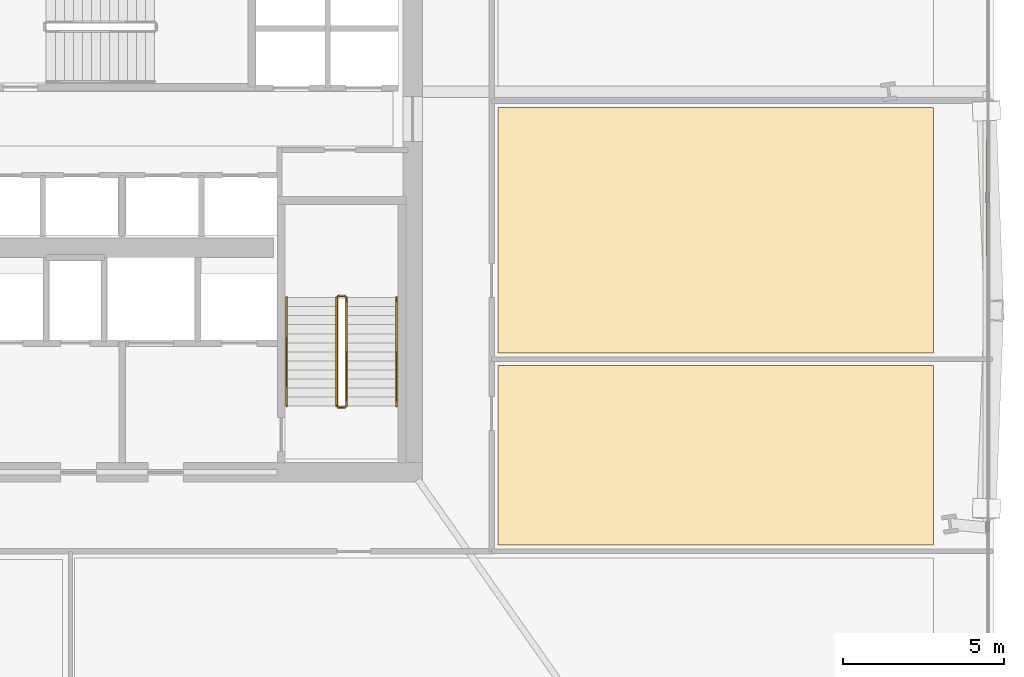
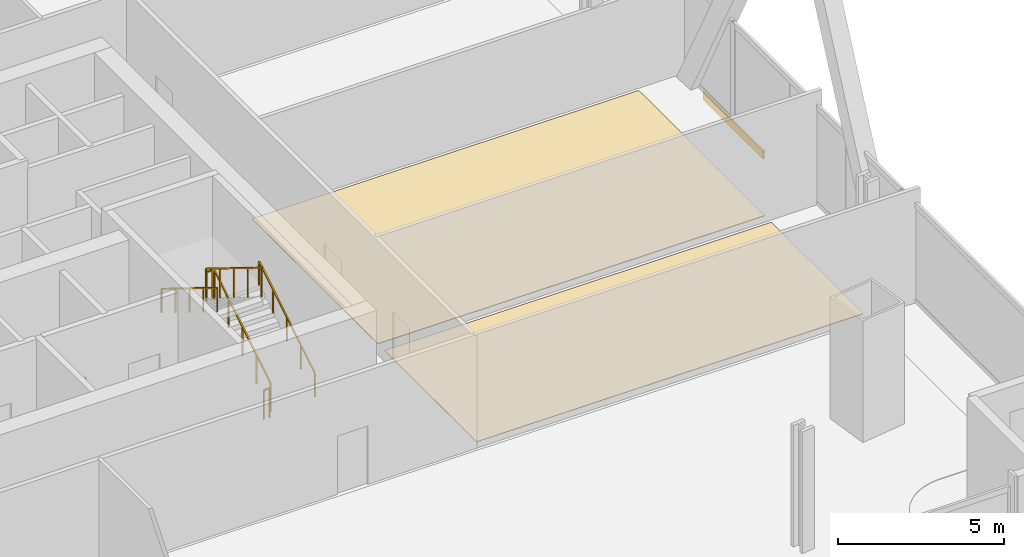
# One storey, part 27 of 29: 6 railings, 3 coverings.
"""IFC4 building model written with IfcOpenShell, lengths in metres."""

from ifc_helpers import new_model, si_unit, direction, frame, origin, origin_2d, place, context, subcontext, project, spatial, polyline, rectangle, outline, extrude, source, transform, mapped, material, layer, layer_set, type_object, element, save


model = new_model("IFC4")

# Units and contexts
model_context = context("Model", 3, precision=1e-05, world=origin(), true_north=direction((0.0, 1.0)))
body_context = subcontext(model_context, "Body", "Model", "MODEL_VIEW")
ifc_project = project(units=[si_unit("LENGTHUNIT", "METRE"), si_unit("AREAUNIT", "SQUARE_METRE"), si_unit("VOLUMEUNIT", "CUBIC_METRE"), si_unit("PLANEANGLEUNIT", "RADIAN"), si_unit("MASSUNIT", "GRAM", prefix="KILO")], contexts=[model_context])

# Site, building, storey
site_placement = place(None, origin())
site = spatial("IfcSite", under=ifc_project, at=site_placement, CompositionType="ELEMENT")
building_placement = place(site_placement, origin())
building = spatial("IfcBuilding", under=site, at=building_placement, Name="Haldenkirk Collegiate Tower", CompositionType="ELEMENT")
storey_placement = place(building_placement, frame((0.0, 0.0, 28.199951171875)))
storey = spatial("IfcBuildingStorey", under=building, at=storey_placement, Name="L05", CompositionType="ELEMENT", Elevation=28.199951171875)

# Coverings
ifc_material_1 = material(Name="Polished collegiate terrazzo", Category="concrete")
ifc_layer_1 = layer(ifc_material_1, 0.02490234375)
ifc_layer_set_1 = layer_set([ifc_layer_1], Name="Polished collegiate terrazzo")
covering_type_1 = type_object("IfcCoveringType", Name="COV-FLOOR-TERRAZZO", PredefinedType="FLOORING", material=ifc_layer_set_1)
covering_1_placement = place(storey_placement, origin())
element("IfcCovering", 1, at=covering_1_placement, inside=storey, type_object=covering_type_1, Name="L05 academic room finish 10", PredefinedType="FLOORING", context=body_context, shape_type="SweptSolid", body=[
    extrude(outline(polyline([(61.1298828125, 21.699951171875), (47.64990234375, 21.699951171875), (47.64990234375, 29.300048828125), (61.1298828125, 29.300048828125), (61.1298828125, 21.699951171875)])), origin(), (0.0, 0.0, 1.0), 0.025146484375),
])
ifc_material_2 = material(Name="Engineered collegiate oak acoustic flooring", Category="wood")
ifc_layer_2 = layer(ifc_material_2, 0.02197265625)
ifc_layer_set_2 = layer_set([ifc_layer_2], Name="Engineered collegiate oak acoustic flooring")
covering_type_2 = type_object("IfcCoveringType", Name="COV-FLOOR-TIMBER", PredefinedType="FLOORING", material=ifc_layer_set_2)
covering_2_placement = place(storey_placement, origin())
element("IfcCovering", 2, at=covering_2_placement, inside=storey, type_object=covering_type_2, Name="L05 academic room finish 09", PredefinedType="FLOORING", context=body_context, shape_type="SweptSolid", body=[
    extrude(outline(polyline([(61.1298828125, 15.75), (47.64990234375, 15.75), (47.64990234375, 21.300048828125), (61.1298828125, 21.300048828125), (61.1298828125, 15.75)])), origin(), (0.0, 0.0, 1.0), 0.02197265625),
])

# Railings
ifc_material_3 = material(Name="Painted architectural tubular steel", Category="steel")
railing_type_1 = type_object("IfcRailingType", Name="RLG-STAIR-GUARD-1100", PredefinedType="BALUSTRADE", material=ifc_material_3)
railing_1_placement = place(storey_placement, frame((42.949951171875, 20.050048828125, 0.173095703125)))
element("IfcRailing", 3, at=railing_1_placement, inside=storey, type_object=railing_type_1, Name="L05 ST-2 stair guard 1", PredefinedType="BALUSTRADE", context=body_context, shape_type="SweptSolid", body=[
    extrude(rectangle(XDim=0.048095703125, YDim=0.048095703125, at=origin_2d()), frame((0.0, 0.0, 1.076171875), z_axis=(0.0, 0.850606129759, 0.525803396734), x_axis=(-1.0, 0.0, 0.0)), (0.0, 0.0, 1.0), 3.949951171875),
    extrude(rectangle(XDim=0.0419921875, YDim=0.0419921875, at=origin_2d()), origin(), (0.0, 0.0, 1.0), 1.052001953125),
    extrude(rectangle(XDim=0.0419921875, YDim=0.0419921875, at=origin_2d()), frame((0.0, 0.83984375, 0.519287109375)), (0.0, 0.0, 1.0), 1.052001953125),
    extrude(rectangle(XDim=0.0419921875, YDim=0.0419921875, at=origin_2d()), frame((0.0, 1.679931640625, 1.03857421875)), (0.0, 0.0, 1.0), 1.052001953125),
    extrude(rectangle(XDim=0.0419921875, YDim=0.0419921875, at=origin_2d()), frame((0.0, 2.52001953125, 1.5576171875)), (0.0, 0.0, 1.0), 1.052001953125),
    extrude(rectangle(XDim=0.0419921875, YDim=0.0419921875, at=origin_2d()), frame((0.0, 3.35986328125, 2.076904296875)), (0.0, 0.0, 1.0), 1.052001953125),
])
railing_2_placement = place(storey_placement, frame((42.89990234375, 23.4599609375, 2.25)))
element("IfcRailing", 4, at=railing_2_placement, inside=storey, type_object=railing_type_1, Name="L05 ST-2 stair guard 2", PredefinedType="BALUSTRADE", context=body_context, shape_type="SweptSolid", body=[
    extrude(rectangle(XDim=0.048095703125, YDim=0.048095703125, at=origin_2d()), frame((0.0, 0.0, 1.076171875), z_axis=(-1.0, 0.0, 0.0), x_axis=(0.0, -1.0, 0.0)), (0.0, 0.0, 1.0), 0.199951171875),
    extrude(rectangle(XDim=0.0419921875, YDim=0.0419921875, at=origin_2d()), origin(), (0.0, 0.0, 1.0), 1.052001953125),
    extrude(rectangle(XDim=0.0419921875, YDim=0.0419921875, at=origin_2d()), frame((-0.199951171875, 0.0, 0.0)), (0.0, 0.0, 1.0), 1.052001953125),
])
railing_3_placement = place(storey_placement, frame((42.64990234375, 23.409912109375, 2.423095703125)))
element("IfcRailing", 5, at=railing_3_placement, inside=storey, type_object=railing_type_1, Name="L05 ST-2 stair guard 3", PredefinedType="BALUSTRADE", context=body_context, shape_type="SweptSolid", body=[
    extrude(rectangle(XDim=0.048095703125, YDim=0.048095703125, at=origin_2d()), frame((0.0, 0.0, 1.076171875), z_axis=(0.0, -0.850606129759, 0.525803396734), x_axis=(1.0, 0.0, 0.0)), (0.0, 0.0, 1.0), 3.949951171875),
    extrude(rectangle(XDim=0.0419921875, YDim=0.0419921875, at=origin_2d()), origin(), (0.0, 0.0, 1.0), 1.052001953125),
    extrude(rectangle(XDim=0.0419921875, YDim=0.0419921875, at=origin_2d()), frame((0.0, -0.83984375, 0.519287109375)), (0.0, 0.0, 1.0), 1.052001953125),
    extrude(rectangle(XDim=0.0419921875, YDim=0.0419921875, at=origin_2d()), frame((0.0, -1.679931640625, 1.03857421875)), (0.0, 0.0, 1.0), 1.052001953125),
    extrude(rectangle(XDim=0.0419921875, YDim=0.0419921875, at=origin_2d()), frame((0.0, -2.52001953125, 1.5576171875)), (0.0, 0.0, 1.0), 1.052001953125),
    extrude(rectangle(XDim=0.0419921875, YDim=0.0419921875, at=origin_2d()), frame((0.0, -3.35986328125, 2.076904296875)), (0.0, 0.0, 1.0), 1.052001953125),
])
railing_4_placement = place(storey_placement, frame((42.89990234375, 20.0, 0.0)))
element("IfcRailing", 6, at=railing_4_placement, inside=storey, type_object=railing_type_1, Name="L05 ST-2 stair guard 4", PredefinedType="BALUSTRADE", context=body_context, shape_type="SweptSolid", body=[
    extrude(rectangle(XDim=0.048095703125, YDim=0.048095703125, at=origin_2d()), frame((0.0, 0.0, 1.076171875), z_axis=(-1.0, 0.0, 0.0), x_axis=(0.0, -1.0, 0.0)), (0.0, 0.0, 1.0), 0.199951171875),
    extrude(rectangle(XDim=0.0419921875, YDim=0.0419921875, at=origin_2d()), origin(), (0.0, 0.0, 1.0), 1.052001953125),
    extrude(rectangle(XDim=0.0419921875, YDim=0.0419921875, at=origin_2d()), frame((-0.199951171875, 0.0, 0.0)), (0.0, 0.0, 1.0), 1.052001953125),
])
railing_type_2 = type_object("IfcRailingType", Name="RLG-STAIR-HANDRAIL-900", PredefinedType="HANDRAIL", material=ifc_material_3)
railing_5_placement = place(storey_placement, frame((44.5, 20.050048828125, 0.173095703125)))
element("IfcRailing", 7, at=railing_5_placement, inside=storey, type_object=railing_type_2, Name="L05 ST-2 stair handrail 1", PredefinedType="HANDRAIL", context=body_context, shape_type="SweptSolid", body=[
    extrude(rectangle(XDim=0.048095703125, YDim=0.048095703125, at=origin_2d()), frame((0.0, 0.0, 0.8759765625), z_axis=(0.0, 0.850606129759, 0.525803396734), x_axis=(-1.0, 0.0, 0.0)), (0.0, 0.0, 1.0), 3.949951171875),
    extrude(rectangle(XDim=0.0419921875, YDim=0.0419921875, at=origin_2d()), origin(), (0.0, 0.0, 1.0), 0.851806640625),
    extrude(rectangle(XDim=0.0419921875, YDim=0.0419921875, at=origin_2d()), frame((0.0, 0.83984375, 0.519287109375)), (0.0, 0.0, 1.0), 0.851806640625),
    extrude(rectangle(XDim=0.0419921875, YDim=0.0419921875, at=origin_2d()), frame((0.0, 1.679931640625, 1.03857421875)), (0.0, 0.0, 1.0), 0.851806640625),
    extrude(rectangle(XDim=0.0419921875, YDim=0.0419921875, at=origin_2d()), frame((0.0, 2.52001953125, 1.5576171875)), (0.0, 0.0, 1.0), 0.851806640625),
    extrude(rectangle(XDim=0.0419921875, YDim=0.0419921875, at=origin_2d()), frame((0.0, 3.35986328125, 2.076904296875)), (0.0, 0.0, 1.0), 0.851806640625),
])
railing_6_placement = place(storey_placement, frame((41.10009765625, 23.409912109375, 2.423095703125)))
element("IfcRailing", 8, at=railing_6_placement, inside=storey, type_object=railing_type_2, Name="L05 ST-2 stair handrail 2", PredefinedType="HANDRAIL", context=body_context, shape_type="SweptSolid", body=[
    extrude(rectangle(XDim=0.048095703125, YDim=0.048095703125, at=origin_2d()), frame((0.0, 0.0, 0.8759765625), z_axis=(0.0, -0.850606129759, 0.525803396734), x_axis=(1.0, 0.0, 0.0)), (0.0, 0.0, 1.0), 3.949951171875),
    extrude(rectangle(XDim=0.0419921875, YDim=0.0419921875, at=origin_2d()), origin(), (0.0, 0.0, 1.0), 0.851806640625),
    extrude(rectangle(XDim=0.0419921875, YDim=0.0419921875, at=origin_2d()), frame((0.0, -0.83984375, 0.519287109375)), (0.0, 0.0, 1.0), 0.851806640625),
    extrude(rectangle(XDim=0.0419921875, YDim=0.0419921875, at=origin_2d()), frame((0.0, -1.679931640625, 1.03857421875)), (0.0, 0.0, 1.0), 0.851806640625),
    extrude(rectangle(XDim=0.0419921875, YDim=0.0419921875, at=origin_2d()), frame((0.0, -2.52001953125, 1.5576171875)), (0.0, 0.0, 1.0), 0.851806640625),
    extrude(rectangle(XDim=0.0419921875, YDim=0.0419921875, at=origin_2d()), frame((0.0, -3.35986328125, 2.076904296875)), (0.0, 0.0, 1.0), 0.851806640625),
])

# Covering
ifc_material_4 = material(Name="Anodised architectural bronze aluminium", Category="aluminium")
ifc_layer_3 = layer(ifc_material_4, 0.06005859375)
ifc_layer_set_3 = layer_set([ifc_layer_3], Name="Anodised architectural bronze aluminium")
covering_type_3 = type_object("IfcCoveringType", Name="COV-CLAD-BRONZE-60", PredefinedType="CLADDING", material=ifc_layer_set_3)
shared_shape = source(origin(), body_context, "Body", "SweptSolid", [
    extrude(rectangle(XDim=3.60009765625, YDim=0.06005859375, at=origin_2d()), origin(), (0.0, 0.0, 1.0), 0.300048828125),
])
covering_3_placement = place(storey_placement, frame((62.820068359375, 26.5, -0.2998046875), z_axis=(0.0, 0.0, 1.0), x_axis=(0.0, -1.0, 0.0)))
element("IfcCovering", 9, at=covering_3_placement, inside=storey, type_object=covering_type_3, Name="L05 architectural bronze spandrel cladding E", PredefinedType="CLADDING", context=body_context, shape_type="MappedRepresentation", body=[
    mapped(shared_shape, transform((0.0, 0.0, 0.0), x_axis=(1.0, 0.0, 0.0), y_axis=(0.0, 1.0, 0.0), z_axis=(0.0, 0.0, 1.0), scale=1.0)),
])

save(model, "model.ifc")
